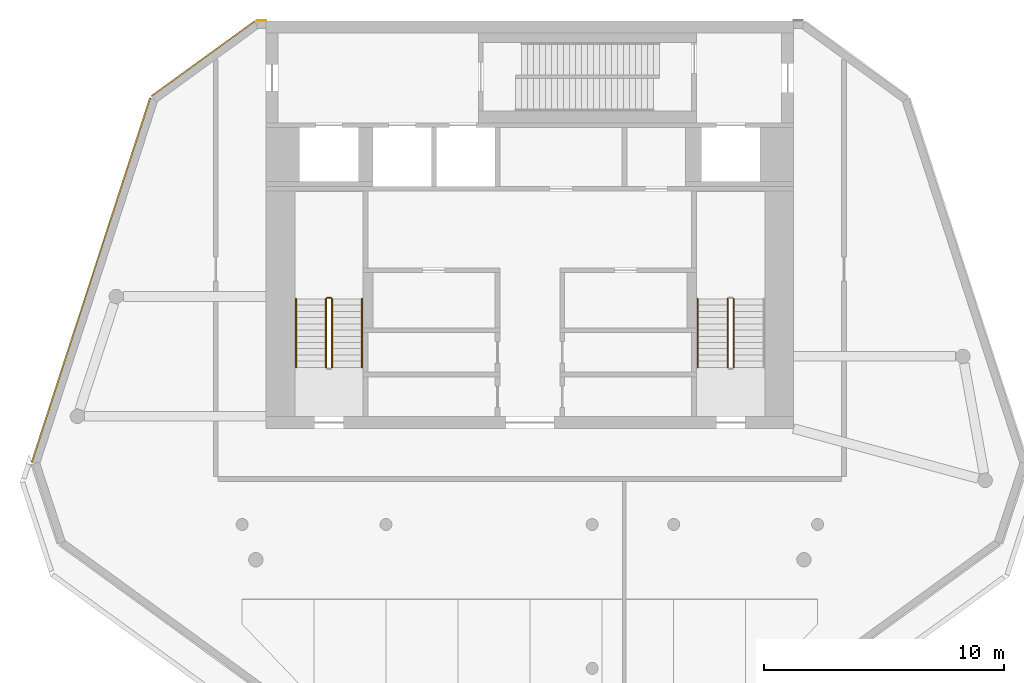
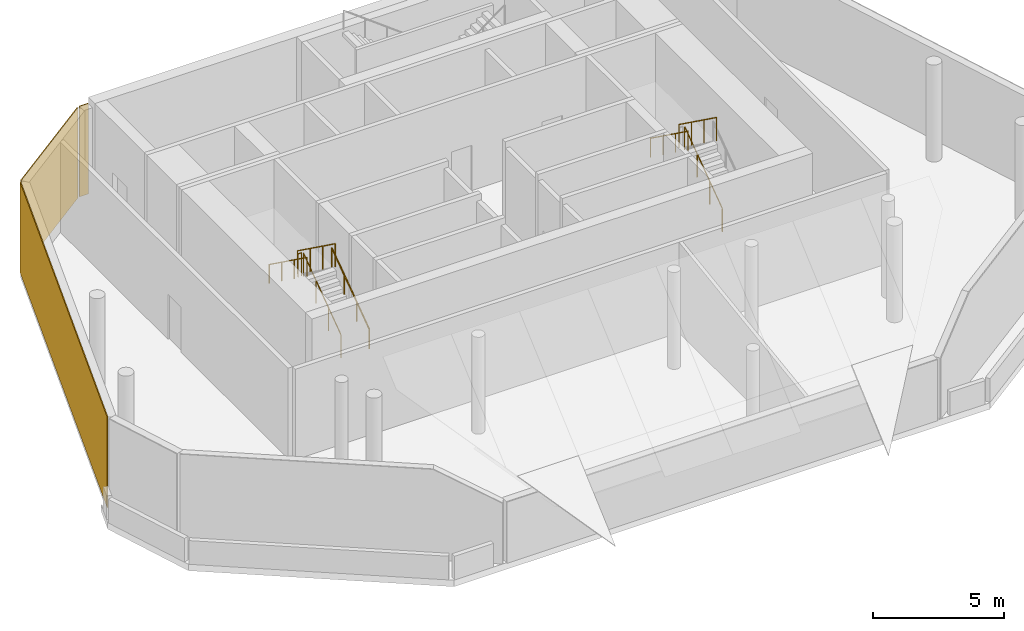
# One storey, part 6 of 7: 8 railings, 3 coverings.
"""IFC4 building model written with IfcOpenShell, lengths in metres."""

from ifc_helpers import new_model, si_unit, direction, frame, origin, origin_2d, place, context, subcontext, project, spatial, polyline, circle, outline, extrude, material, layer, layer_set, type_object, element, save


model = new_model("IFC4")

# Units and contexts
model_context = context("Model", 3, precision=1e-05, world=origin(), true_north=direction((0.0, 1.0)))
body_context = subcontext(model_context, "Body", "Model", "MODEL_VIEW")
ifc_project = project(units=[si_unit("LENGTHUNIT", "METRE"), si_unit("AREAUNIT", "SQUARE_METRE"), si_unit("VOLUMEUNIT", "CUBIC_METRE"), si_unit("PLANEANGLEUNIT", "RADIAN"), si_unit("MASSUNIT", "GRAM", prefix="KILO")], contexts=[model_context])

# Site, building, storey
site_placement = place(None, origin())
site = spatial("IfcSite", under=ifc_project, at=site_placement, CompositionType="ELEMENT")
building_placement = place(site_placement, origin())
building = spatial("IfcBuilding", under=site, at=building_placement, Name="White Candle Pilgrim Tower", CompositionType="ELEMENT")
storey_placement = place(building_placement, frame((0.0, 0.0, 333.199951171875)))
storey = spatial("IfcBuildingStorey", under=building, at=storey_placement, Name="L78", CompositionType="ELEMENT", Elevation=333.199951171875)

# Railings
ifc_material_1 = material(Name="Stainless steel", Category="steel")
railing_type_1 = type_object("IfcRailingType", Name="Stair guard stainless steel 1100 mm", PredefinedType="GUARDRAIL", material=ifc_material_1)
railing_1_placement = place(storey_placement, frame((61.75, 73.550048828125, 0.1875)))
element("IfcRailing", 1, at=railing_1_placement, inside=storey, type_object=railing_type_1, Name="L78 ST1 stair guard 1", PredefinedType="GUARDRAIL", context=body_context, shape_type="SweptSolid", body=[
    extrude(circle(Radius=0.02392578125, at=origin_2d()), frame((0.0, 0.0, 1.076171875), z_axis=(0.0, 0.811077065594, 0.584939307678), x_axis=(-1.0, 0.0, 0.0)), (0.0, 0.0, 1.0), 3.526123046875),
    extrude(circle(Radius=0.02099609375, at=origin_2d()), origin(), (0.0, 0.0, 1.0), 1.052001953125),
    extrude(circle(Radius=0.02099609375, at=origin_2d()), frame((0.0, 0.953369140625, 0.6875)), (0.0, 0.0, 1.0), 1.052001953125),
    extrude(circle(Radius=0.02099609375, at=origin_2d()), frame((0.0, 1.906494140625, 1.375)), (0.0, 0.0, 1.0), 1.052001953125),
    extrude(circle(Radius=0.02099609375, at=origin_2d()), frame((0.0, 2.85986328125, 2.0625)), (0.0, 0.0, 1.0), 1.052001953125),
])
railing_2_placement = place(storey_placement, frame((61.699951171875, 76.4599609375, 2.25)))
element("IfcRailing", 2, at=railing_2_placement, inside=storey, type_object=railing_type_1, Name="L78 ST1 stair guard 2", PredefinedType="GUARDRAIL", context=body_context, shape_type="SweptSolid", body=[
    extrude(circle(Radius=0.02392578125, at=origin_2d()), frame((0.0, 0.0, 1.076171875), z_axis=(-1.0, 0.0, 0.0), x_axis=(0.0, -1.0, 0.0)), (0.0, 0.0, 1.0), 0.14990234375),
    extrude(circle(Radius=0.02099609375, at=origin_2d()), origin(), (0.0, 0.0, 1.0), 1.052001953125),
    extrude(circle(Radius=0.02099609375, at=origin_2d()), frame((-0.14990234375, 0.0, 0.0)), (0.0, 0.0, 1.0), 1.052001953125),
])
railing_3_placement = place(storey_placement, frame((61.5, 76.409912109375, 2.4375)))
element("IfcRailing", 3, at=railing_3_placement, inside=storey, type_object=railing_type_1, Name="L78 ST1 stair guard 3", PredefinedType="GUARDRAIL", context=body_context, shape_type="SweptSolid", body=[
    extrude(circle(Radius=0.02392578125, at=origin_2d()), frame((0.0, 0.0, 1.076171875), z_axis=(0.0, -0.811077065594, 0.584939307678), x_axis=(1.0, 0.0, 0.0)), (0.0, 0.0, 1.0), 3.526123046875),
    extrude(circle(Radius=0.02099609375, at=origin_2d()), origin(), (0.0, 0.0, 1.0), 1.052001953125),
    extrude(circle(Radius=0.02099609375, at=origin_2d()), frame((0.0, -0.953369140625, 0.6875)), (0.0, 0.0, 1.0), 1.052001953125),
    extrude(circle(Radius=0.02099609375, at=origin_2d()), frame((0.0, -1.906494140625, 1.375)), (0.0, 0.0, 1.0), 1.052001953125),
    extrude(circle(Radius=0.02099609375, at=origin_2d()), frame((0.0, -2.85986328125, 2.0625)), (0.0, 0.0, 1.0), 1.052001953125),
])
railing_4_placement = place(storey_placement, frame((78.5, 73.550048828125, 0.1875)))
element("IfcRailing", 4, at=railing_4_placement, inside=storey, type_object=railing_type_1, Name="L78 ST2 stair guard 1", PredefinedType="GUARDRAIL", context=body_context, shape_type="SweptSolid", body=[
    extrude(circle(Radius=0.02392578125, at=origin_2d()), frame((0.0, 0.0, 1.076171875), z_axis=(0.0, 0.811077065594, 0.584939307678), x_axis=(-1.0, 0.0, 0.0)), (0.0, 0.0, 1.0), 3.526123046875),
    extrude(circle(Radius=0.02099609375, at=origin_2d()), origin(), (0.0, 0.0, 1.0), 1.052001953125),
    extrude(circle(Radius=0.02099609375, at=origin_2d()), frame((0.0, 0.953369140625, 0.6875)), (0.0, 0.0, 1.0), 1.052001953125),
    extrude(circle(Radius=0.02099609375, at=origin_2d()), frame((0.0, 1.906494140625, 1.375)), (0.0, 0.0, 1.0), 1.052001953125),
    extrude(circle(Radius=0.02099609375, at=origin_2d()), frame((0.0, 2.85986328125, 2.0625)), (0.0, 0.0, 1.0), 1.052001953125),
])
railing_5_placement = place(storey_placement, frame((78.25, 76.409912109375, 2.4375)))
element("IfcRailing", 5, at=railing_5_placement, inside=storey, type_object=railing_type_1, Name="L78 ST2 stair guard 3", PredefinedType="GUARDRAIL", context=body_context, shape_type="SweptSolid", body=[
    extrude(circle(Radius=0.02392578125, at=origin_2d()), frame((0.0, 0.0, 1.076171875), z_axis=(0.0, -0.811077065594, 0.584939307678), x_axis=(1.0, 0.0, 0.0)), (0.0, 0.0, 1.0), 3.526123046875),
    extrude(circle(Radius=0.02099609375, at=origin_2d()), origin(), (0.0, 0.0, 1.0), 1.052001953125),
    extrude(circle(Radius=0.02099609375, at=origin_2d()), frame((0.0, -0.953369140625, 0.6875)), (0.0, 0.0, 1.0), 1.052001953125),
    extrude(circle(Radius=0.02099609375, at=origin_2d()), frame((0.0, -1.906494140625, 1.375)), (0.0, 0.0, 1.0), 1.052001953125),
    extrude(circle(Radius=0.02099609375, at=origin_2d()), frame((0.0, -2.85986328125, 2.0625)), (0.0, 0.0, 1.0), 1.052001953125),
])
railing_type_2 = type_object("IfcRailingType", Name="Stair handrail stainless steel", PredefinedType="HANDRAIL", material=ifc_material_1)
railing_6_placement = place(storey_placement, frame((63.0, 73.550048828125, 0.1875)))
element("IfcRailing", 6, at=railing_6_placement, inside=storey, type_object=railing_type_2, Name="L78 ST1 stair handrail 1", PredefinedType="HANDRAIL", context=body_context, shape_type="SweptSolid", body=[
    extrude(circle(Radius=0.02392578125, at=origin_2d()), frame((0.0, 0.0, 0.8759765625), z_axis=(0.0, 0.811077065594, 0.584939307678), x_axis=(-1.0, 0.0, 0.0)), (0.0, 0.0, 1.0), 3.526123046875),
    extrude(circle(Radius=0.02099609375, at=origin_2d()), origin(), (0.0, 0.0, 1.0), 0.851806640625),
    extrude(circle(Radius=0.02099609375, at=origin_2d()), frame((0.0, 0.953369140625, 0.6875)), (0.0, 0.0, 1.0), 0.851806640625),
    extrude(circle(Radius=0.02099609375, at=origin_2d()), frame((0.0, 1.906494140625, 1.375)), (0.0, 0.0, 1.0), 0.851806640625),
    extrude(circle(Radius=0.02099609375, at=origin_2d()), frame((0.0, 2.85986328125, 2.0625)), (0.0, 0.0, 1.0), 0.851806640625),
])
for number, where, name in (
    (7, (60.25, 76.409912109375, 2.4375), "L78 ST1 stair handrail 2"),
    (8, (77.0, 76.409912109375, 2.4375), "L78 ST2 stair handrail 2"),
):
    element("IfcRailing", number, at=place(storey_placement, frame(where)), inside=storey, type_object=railing_type_2, Name=name, PredefinedType="HANDRAIL", context=body_context, shape_type="SweptSolid", body=[
        extrude(circle(Radius=0.02392578125, at=origin_2d()), frame((0.0, 0.0, 0.8759765625), z_axis=(0.0, -0.811077065594, 0.584939307678), x_axis=(1.0, 0.0, 0.0)), (0.0, 0.0, 1.0), 3.526123046875),
        extrude(circle(Radius=0.02099609375, at=origin_2d()), origin(), (0.0, 0.0, 1.0), 0.851806640625),
        extrude(circle(Radius=0.02099609375, at=origin_2d()), frame((0.0, -0.953369140625, 0.6875)), (0.0, 0.0, 1.0), 0.851806640625),
        extrude(circle(Radius=0.02099609375, at=origin_2d()), frame((0.0, -1.906494140625, 1.375)), (0.0, 0.0, 1.0), 0.851806640625),
        extrude(circle(Radius=0.02099609375, at=origin_2d()), frame((0.0, -2.85986328125, 2.0625)), (0.0, 0.0, 1.0), 0.851806640625),
    ])

# Coverings
ifc_material_2 = material(Name="Zinc standing seam")
ifc_layer = layer(ifc_material_2, 0.0400390625)
ifc_layer_set = layer_set([ifc_layer], Name="Zinc wall cladding CL3 40")
covering_type = type_object("IfcCoveringType", Name="Zinc wall cladding CL3 40", PredefinedType="CLADDING", material=ifc_layer_set)
covering_1_placement = place(storey_placement, frame((59.0, 88.0, 4.199951171875), z_axis=(0.0, -1.0, 0.0), x_axis=(-1.0, 0.0, 0.0)))
element("IfcCovering", 9, at=covering_1_placement, inside=storey, type_object=covering_type, Name="Zinc wall cladding L78 N", PredefinedType="CLADDING", context=body_context, shape_type="SweptSolid", body=[
    extrude(outline(polyline([(0.0, 0.0), (0.385009765625, 0.0), (0.385009765625, 4.199951171875), (0.0, 4.199951171875), (0.0, 0.0)])), origin(), (0.0, 0.0, -1.0), 0.0400390625),
])
covering_2_placement = place(storey_placement, frame((58.52099609375, 87.969482421875, 4.199951171875), z_axis=(0.587787811513, -0.809015134986, 0.0), x_axis=(-0.809015134986, -0.587787811513, 0.0)))
element("IfcCovering", 10, at=covering_2_placement, inside=storey, type_object=covering_type, Name="Zinc wall cladding L78 NW chamfer", PredefinedType="CLADDING", context=body_context, shape_type="SweptSolid", body=[
    extrude(outline(polyline([(0.0, 0.0), (5.294945942293895, 0.0), (5.294945942293895, 4.199951171875), (0.0, 4.199951171875), (0.0, 0.0)])), origin(), (0.0, 0.0, -1.0), 0.0400390625),
])
covering_3_placement = place(storey_placement, frame((54.178955078125, 84.777099609375, 4.199951171875), z_axis=(0.95105858267, -0.309010634655, 0.0), x_axis=(-0.309010634655, -0.95105858267, 0.0)))
element("IfcCovering", 11, at=covering_3_placement, inside=storey, type_object=covering_type, Name="Zinc wall cladding L78 WNW", PredefinedType="CLADDING", context=body_context, shape_type="SweptSolid", body=[
    extrude(outline(polyline([(0.0, 0.0), (15.95313218104456, 0.0), (15.95313218104456, 4.199951171875), (0.0, 4.199951171875), (0.0, 0.0)])), origin(), (0.0, 0.0, -1.0), 0.0400390625),
])

save(model, "model.ifc")
